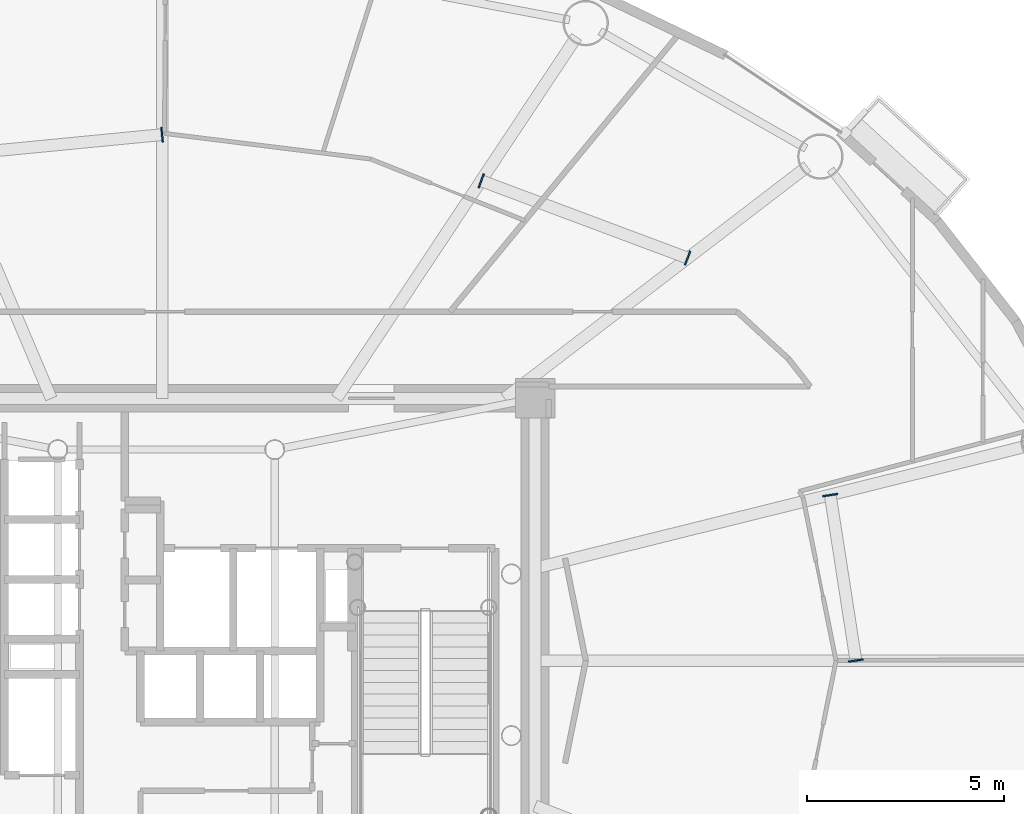
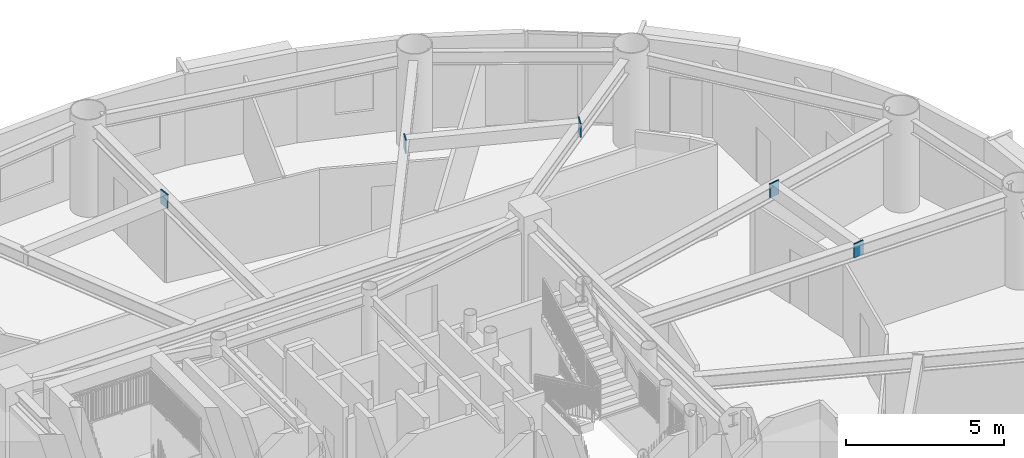
# One storey, part 7 of 19: 5 plates.
"""IFC4 building model written with IfcOpenShell, lengths in metres."""

import ifcopenshell
import ifcopenshell.guid

model = None  # the IFC model being written
_history = None  # IfcOwnerHistory: only IFC2X3 demands one
_inside = {}  # id of a spatial element -> (the spatial element, [elements in it])
_under = {}  # id of a project, library or spatial element -> (it, [spatial elements below it])
_declared = {}  # id of a project -> (the project, [libraries it declares])
_typed = {}  # id of a type object -> (the type object, [elements of that type])
_made_of = {}  # id of a material, layer set ... -> (it, [elements and type objects made of it])


def new_model(schema):
    """Start an empty IFC model of exactly this schema.

    Asked for "IFC4X3", IfcOpenShell would pick the latest addendum, in which some entities
    have other attributes; the version numbers below select the first issue.
    IFC2X3 requires an IfcOwnerHistory on every rooted entity: one is made here for all.
    """
    global model, _history
    if schema == "IFC4X3":
        model = ifcopenshell.file(schema_version=(4, 3, 0, 0))
    else:
        model = ifcopenshell.file(schema=schema)
    _inside.clear()
    _under.clear()
    _declared.clear()
    _typed.clear()
    _made_of.clear()
    _history = None
    if model.schema == "IFC2X3":
        org = make("IfcOrganization", Name="unknown")
        user = make(
            "IfcPersonAndOrganization",
            ThePerson=make("IfcPerson", FamilyName="unknown"),
            TheOrganization=org,
        )
        app = make(
            "IfcApplication",
            ApplicationDeveloper=org,
            Version="unknown",
            ApplicationFullName="unknown",
            ApplicationIdentifier="unknown",
        )
        _history = make(
            "IfcOwnerHistory",
            OwningUser=user,
            OwningApplication=app,
            ChangeAction="ADDED",
            CreationDate=0,
        )
    return model


def make(cls, **values):
    """One entity of the class cls with the attributes given. An attribute that is None is left unset."""
    return model.create_entity(
        cls, **{name: value for name, value in values.items() if value is not None}
    )


def rooted(cls, **values):
    """An entity with a GlobalId (a new one), such as an element, a storey or a relation."""
    return make(cls, GlobalId=ifcopenshell.guid.new(), OwnerHistory=_history, **values)


def si_unit(unit_type, name, prefix=None):
    """IfcSIUnit, for example si_unit("LENGTHUNIT", "METRE", prefix="MILLI")."""
    return make("IfcSIUnit", UnitType=unit_type, Prefix=prefix, Name=name)


def assignment(units):
    """IfcUnitAssignment: the units of a project."""
    return None if units is None else make("IfcUnitAssignment", Units=units)


def point(xyz):
    """IfcCartesianPoint."""
    return None if xyz is None else make("IfcCartesianPoint", Coordinates=xyz)


def direction(xyz):
    """IfcDirection."""
    return None if xyz is None else make("IfcDirection", DirectionRatios=xyz)


def frame(location, z_axis=None, x_axis=None):
    """IfcAxis2Placement3D, a coordinate frame: its origin and axes. An axis left out is left unset."""
    return make(
        "IfcAxis2Placement3D",
        Location=point(location),
        Axis=direction(z_axis),
        RefDirection=direction(x_axis),
    )


def frame_2d(location, x_axis=None):
    """IfcAxis2Placement2D, a coordinate frame in the plane: its origin and x axis."""
    return make(
        "IfcAxis2Placement2D", Location=point(location), RefDirection=direction(x_axis)
    )


def origin():
    """The frame at (0, 0, 0) with its axes left unset."""
    return frame((0.0, 0.0, 0.0))


def origin_2d():
    """The frame at (0, 0) in the plane with its x axis left unset."""
    return frame_2d((0.0, 0.0))


def place(relative_to, where):
    """IfcLocalPlacement: puts the frame where relative to a parent placement (None: the world)."""
    return make(
        "IfcLocalPlacement", PlacementRelTo=relative_to, RelativePlacement=where
    )


def context(
    kind, dimensions, precision=None, world=None, true_north=None, identifier=None
):
    """IfcGeometricRepresentationContext, for example the 3D "Model" context."""
    return make(
        "IfcGeometricRepresentationContext",
        ContextIdentifier=identifier,
        ContextType=kind,
        CoordinateSpaceDimension=dimensions,
        Precision=precision,
        WorldCoordinateSystem=world,
        TrueNorth=true_north,
    )


def subcontext(parent, identifier, kind, view, scale=None):
    """IfcGeometricRepresentationSubContext, for example "Body" below "Model"."""
    return make(
        "IfcGeometricRepresentationSubContext",
        ContextIdentifier=identifier,
        ContextType=kind,
        ParentContext=parent,
        TargetScale=scale,
        TargetView=view,
    )


def project(units=None, contexts=None):
    """IfcProject with its units and contexts."""
    return rooted(
        "IfcProject",
        Name="project",
        RepresentationContexts=contexts,
        UnitsInContext=assignment(units),
    )


def spatial(cls, under=None, at=None, **own):
    """A site, building, storey or space (cls), placed at a placement, below another one or the project."""
    s = rooted(cls, ObjectPlacement=at, **own)
    if under is not None:
        _under.setdefault(under.id(), (under, []))[1].append(s)
    return s


def profile(cls, at=None, kind="AREA", **sizes):
    """A parametric profile (cls). Its sizes go by their IFC names, for example OverallWidth=200.0."""
    return make(cls, ProfileType=kind, Position=at, **sizes)


def rectangle(**sizes):
    """IfcRectangleProfileDef."""
    return profile("IfcRectangleProfileDef", **sizes)


def extrude(swept, where, along, depth):
    """IfcExtrudedAreaSolid: the profile swept, set in the frame where, extruded along a direction by depth."""
    return make(
        "IfcExtrudedAreaSolid",
        SweptArea=swept,
        Position=where,
        ExtrudedDirection=direction(along),
        Depth=depth,
    )


def shape(context_of_items, identifier, shape_type, items):
    """IfcShapeRepresentation: the items that make up one representation, for example the "Body"."""
    return make(
        "IfcShapeRepresentation",
        ContextOfItems=context_of_items,
        RepresentationIdentifier=identifier,
        RepresentationType=shape_type,
        Items=items,
    )


def source(mapping_origin, context_of_items, identifier, shape_type, items):
    """IfcRepresentationMap: a shape defined once, which mapped items show again and again."""
    return make(
        "IfcRepresentationMap",
        MappingOrigin=mapping_origin,
        MappedRepresentation=shape(context_of_items, identifier, shape_type, items),
    )


def transform(
    local_origin,
    x_axis=None,
    y_axis=None,
    z_axis=None,
    scale=None,
    scale2=None,
    scale3=None,
    uniform=True,
):
    """IfcCartesianTransformationOperator3D, or its non-uniform kind. x_axis, y_axis, z_axis: its Axis1, 2, 3."""
    if uniform:
        return make(
            "IfcCartesianTransformationOperator3D",
            Axis1=direction(x_axis),
            Axis2=direction(y_axis),
            LocalOrigin=point(local_origin),
            Scale=scale,
            Axis3=direction(z_axis),
        )
    return make(
        "IfcCartesianTransformationOperator3DnonUniform",
        Axis1=direction(x_axis),
        Axis2=direction(y_axis),
        LocalOrigin=point(local_origin),
        Scale=scale,
        Axis3=direction(z_axis),
        Scale2=scale2,
        Scale3=scale3,
    )


def mapped(mapping_source, mapping_target):
    """IfcMappedItem: shows the shape of a source again, moved by a transform."""
    return make(
        "IfcMappedItem", MappingSource=mapping_source, MappingTarget=mapping_target
    )


def material(Name=None, Category=None):
    """IfcMaterial."""
    return make("IfcMaterial", Name=Name, Category=Category)


def layer(
    of_material, thickness, ventilated=None, Name=None, Category=None, Priority=None
):
    """IfcMaterialLayer: one layer of a wall or slab, of a material (None: an air gap)."""
    return make(
        "IfcMaterialLayer",
        Material=of_material,
        LayerThickness=thickness,
        IsVentilated=ventilated,
        Name=Name,
        Category=Category,
        Priority=Priority,
    )


def layer_set(layers, Name=None):
    """IfcMaterialLayerSet."""
    return make("IfcMaterialLayerSet", MaterialLayers=layers, LayerSetName=Name)


def made_of(thing, what):
    """Note that an element or type object is made of a material, layer set ...; save() writes the relation."""
    if what is not None:
        _made_of.setdefault(what.id(), (what, []))[1].append(thing)
    return thing


def type_object(cls, material=None, **own):
    """A type object (cls), such as IfcWallType, which elements share."""
    return made_of(rooted(cls, **own), material)


def element(
    cls,
    number,
    at=None,
    inside=None,
    cuts=None,
    type_object=None,
    material=None,
    context=None,
    identifier="Body",
    shape_type=None,
    held_by="IfcProductDefinitionShape",
    body=None,
    shapes=None,
    **own,
):
    """One element of the class cls, such as IfcWall. Its Tag is "e" and its number.

    at: its placement. inside: the storey or other place that contains it. cuts: it is an
    opening in that element (IfcRelVoidsElement). A single representation is given by context,
    identifier, shape_type and body (its items); several are given by shapes. held_by: the class
    of the entity that holds the representations. save() writes the other relations.
    """
    e = rooted(cls, Tag="e%d" % number, ObjectPlacement=at, **own)
    if body is not None:
        shapes = [shape(context, identifier, shape_type, body)]
    if shapes is not None:
        e.Representation = make(held_by, Representations=shapes)
    if inside is not None:
        _inside.setdefault(inside.id(), (inside, []))[1].append(e)
    if cuts is not None:
        rooted(
            "IfcRelVoidsElement", RelatingBuildingElement=cuts, RelatedOpeningElement=e
        )
    if type_object is not None:
        _typed.setdefault(type_object.id(), (type_object, []))[1].append(e)
    return made_of(e, material)


def aggregate(whole, parts):
    """IfcRelAggregates: a whole, such as a stair, and the parts it consists of."""
    return rooted("IfcRelAggregates", RelatingObject=whole, RelatedObjects=parts)


def save(model, path):
    """Write the relations noted so far, then the file.

    IfcRelAggregates (storeys below a building ...), IfcRelContainedInSpatialStructure (elements
    in a storey), IfcRelDefinesByType, IfcRelAssociatesMaterial and IfcRelDeclares: one each for
    every whole, place, type object, material and project.
    """
    for whole, parts in _under.values():
        aggregate(whole, parts)
    for where, things in _inside.values():
        rooted(
            "IfcRelContainedInSpatialStructure",
            RelatedElements=things,
            RelatingStructure=where,
        )
    for kind, things in _typed.values():
        rooted("IfcRelDefinesByType", RelatedObjects=things, RelatingType=kind)
    for what, things in _made_of.values():
        rooted("IfcRelAssociatesMaterial", RelatedObjects=things, RelatingMaterial=what)
    for by, libraries in _declared.values():
        rooted("IfcRelDeclares", RelatingContext=by, RelatedDefinitions=libraries)
    model.write(path)


model = new_model("IFC4")

# Units and contexts
model_context = context("Model", 3, precision=1e-05, world=origin(), true_north=direction((0.0, 1.0)))
body_context = subcontext(model_context, "Body", "Model", "MODEL_VIEW")
ifc_project = project(units=[si_unit("LENGTHUNIT", "METRE"), si_unit("AREAUNIT", "SQUARE_METRE"), si_unit("VOLUMEUNIT", "CUBIC_METRE"), si_unit("PLANEANGLEUNIT", "RADIAN"), si_unit("MASSUNIT", "GRAM", prefix="KILO")], contexts=[model_context])

# Site, building, storey
site_placement = place(None, origin())
site = spatial("IfcSite", under=ifc_project, at=site_placement, CompositionType="ELEMENT")
building_placement = place(site_placement, origin())
building = spatial("IfcBuilding", under=site, at=building_placement, Name="Linh Dai School and Residence Tower", CompositionType="ELEMENT")
storey_placement = place(building_placement, frame((0.0, 0.0, 247.800048828125)))
storey = spatial("IfcBuildingStorey", under=building, at=storey_placement, Name="L61", CompositionType="ELEMENT", Elevation=247.800048828125)

# Plates
ifc_material = material(Name="Structural Steel S355JR", Category="steel")
ifc_layer = layer(ifc_material, 0.0400390625)
ifc_layer_set = layer_set([ifc_layer], Name="Structural Steel S355JR")
plate_type = type_object("IfcPlateType", Name="PLT-GP1", PredefinedType="USERDEFINED", material=ifc_layer_set)
shared_shape = source(origin(), body_context, "Body", "SweptSolid", [
    extrude(rectangle(XDim=0.0400390625, YDim=0.3798828125, at=origin_2d()), origin(), (0.0, 0.0, 1.0), 0.5400390625),
])
for number, where, z_axis, x_axis, name in (
    (1, (53.583740234375, 27.0048828125, 2.97998046875), (0.0, 0.0, 1.0), (-0.153185627242, 0.988197431492, 0.0), "L61 Secondary Beam End Plate 01A"),
    (2, (52.93359375, 31.198974609375, 2.97998046875), (0.0, 0.0, 1.0), (-0.153185627242, 0.988197431492, 0.0), "L61 Secondary Beam End Plate 01B"),
    (3, (49.3173828125, 37.207763671875, 2.97998046875), (0.0, 0.0, 1.0), (-0.936533727109, 0.35057749213, 0.0), "L61 Secondary Beam End Plate 02A"),
    (4, (44.085693359375, 39.166015625, 2.97998046875), (0.0, 0.0, 1.0), (-0.936533727109, 0.35057749213, 0.0), "L61 Secondary Beam End Plate 02B"),
    (5, (35.9951171875, 40.3369140625, 2.97998046875), (0.0, 0.0, 1.0), (-0.995333315624, -0.096496584447, 0.0), "L61 Secondary Beam End Plate 03A"),
):
    element("IfcPlate", number, at=place(storey_placement, frame(where, z_axis=z_axis, x_axis=x_axis)), inside=storey, type_object=plate_type, Name=name, ObjectType="GUSSET PLATE", PredefinedType="USERDEFINED", context=body_context, shape_type="MappedRepresentation", body=[
        mapped(shared_shape, transform((0.0, 0.0, 0.0), x_axis=(1.0, 0.0, 0.0), y_axis=(0.0, 1.0, 0.0), z_axis=(0.0, 0.0, 1.0), scale=1.0)),
    ])

save(model, "model.ifc")
